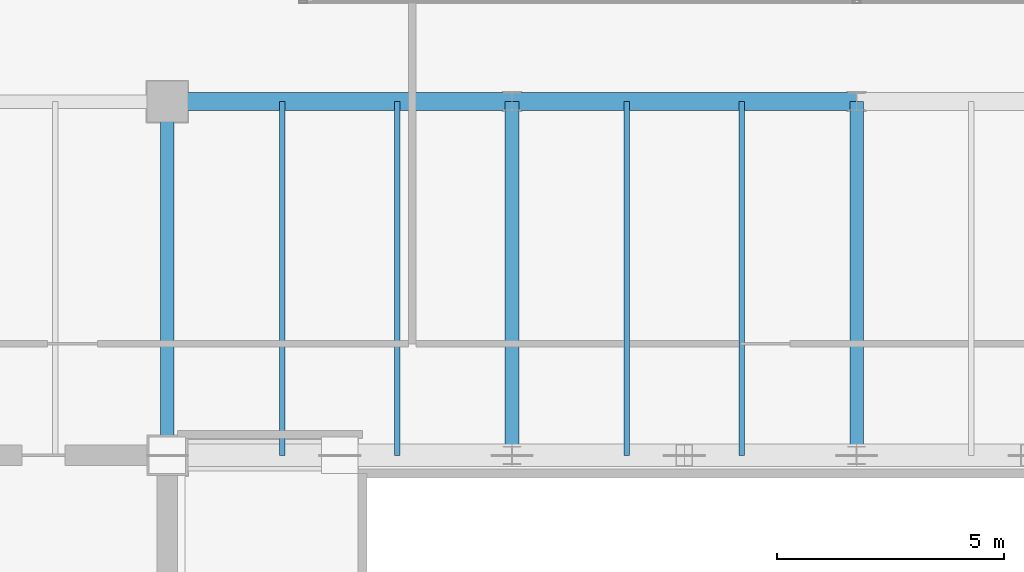
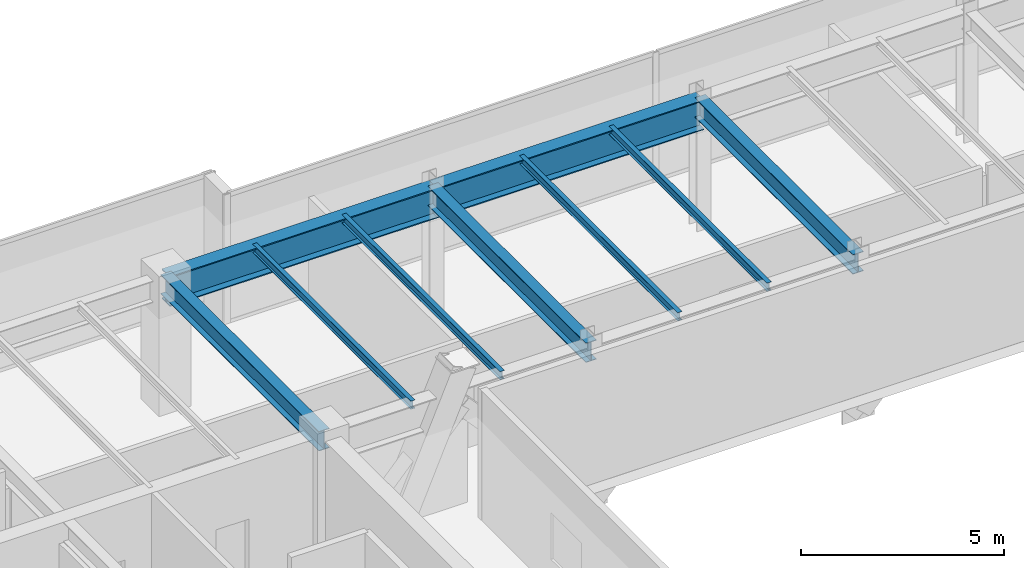
# One storey, part 20 of 32: 9 beams.
"""IFC4 building model written with IfcOpenShell, lengths in metres."""

from ifc_helpers import new_model, si_unit, direction, frame, origin, origin_2d, place, context, subcontext, project, spatial, i_section, extrude, source, transform, mapped, material, material_profile, profile_set, type_object, type_shapes, element, save


model = new_model("IFC4")

# Units and contexts
model_context = context("Model", 3, precision=1e-05, world=origin(), true_north=direction((0.0, 1.0)))
body_context = subcontext(model_context, "Body", "Model", "MODEL_VIEW")
ifc_project = project(units=[si_unit("LENGTHUNIT", "METRE"), si_unit("AREAUNIT", "SQUARE_METRE"), si_unit("VOLUMEUNIT", "CUBIC_METRE"), si_unit("PLANEANGLEUNIT", "RADIAN"), si_unit("MASSUNIT", "GRAM", prefix="KILO")], contexts=[model_context])

# Site, building, storey
site_placement = place(None, origin())
site = spatial("IfcSite", under=ifc_project, at=site_placement, CompositionType="ELEMENT")
building_placement = place(site_placement, origin())
building = spatial("IfcBuilding", under=site, at=building_placement, Name="Haelvirn Gate Laboratories", CompositionType="ELEMENT")
storey_placement = place(building_placement, frame((0.0, 0.0, 301.800048828125)))
storey = spatial("IfcBuildingStorey", under=building, at=storey_placement, Name="L72", CompositionType="ELEMENT", Elevation=301.800048828125)

# Beams
ifc_material_1 = material(Name="Steel SM420", Category="steel")
ifc_material_profile_1 = material_profile(ifc_material_1, i_section(OverallWidth=0.39990234375, OverallDepth=0.89990234375, WebThickness=0.01904296875, FlangeThickness=0.031982421875, at=origin_2d()), Name="H-900x400x19x32")
ifc_profile_set_1 = profile_set([ifc_material_profile_1], Name="Steel SM420")
beam_type_1 = type_object("IfcBeamType", Name="BM-TG-900", PredefinedType="BEAM", material=ifc_profile_set_1)
shared_shape_1 = source(origin(), body_context, "Body", "SweptSolid", [
    extrude(i_section(OverallWidth=0.39990234375, OverallDepth=0.89990234375, WebThickness=0.01904296875, FlangeThickness=0.031982421875, at=origin_2d()), origin(), (0.0, 0.0, 1.0), 7.60009765625),
])
beam_1_placement = place(storey_placement, frame((22.199951171875, 41.60009765625, 3.449951171875), z_axis=(1.0, 0.0, 0.0), x_axis=(0.0, 1.0, 0.0)))
element("IfcBeam", 1, at=beam_1_placement, inside=storey, type_object=beam_type_1, Name="L72 Primary Girder Y41.6 (22.2-29.8)", PredefinedType="BEAM", context=body_context, shape_type="MappedRepresentation", body=[
    mapped(shared_shape_1, transform((0.0, 0.0, 0.0), scale=1.0)),
])
shared_shape_2 = source(origin(), body_context, "Body", "SweptSolid", [
    extrude(i_section(OverallWidth=0.39990234375, OverallDepth=0.89990234375, WebThickness=0.01904296875, FlangeThickness=0.031982421875, at=origin_2d()), origin(), (0.0, 0.0, 1.0), 7.599853515625),
])
type_shapes(beam_type_1, [shared_shape_1, shared_shape_2])
beam_2_placement = place(storey_placement, frame((29.800048828125, 41.60009765625, 3.449951171875), z_axis=(1.0, 0.0, 0.0), x_axis=(0.0, 1.0, 0.0)))
element("IfcBeam", 2, at=beam_2_placement, inside=storey, type_object=beam_type_1, Name="L72 Primary Girder Y41.6 (29.8-37.4)", PredefinedType="BEAM", context=body_context, shape_type="MappedRepresentation", body=[
    mapped(shared_shape_2, transform((0.0, 0.0, 0.0), scale=1.0)),
])
ifc_material_2 = material(Name="Steel SM355", Category="steel")
ifc_material_profile_2 = material_profile(ifc_material_2, i_section(OverallWidth=0.300048828125, OverallDepth=0.587890625, WebThickness=0.011962890625, FlangeThickness=0.02001953125, at=origin_2d()), Name="H-588x300x12x20")
ifc_profile_set_2 = profile_set([ifc_material_profile_2], Name="Steel SM355")
beam_type_2 = type_object("IfcBeamType", Name="BM-G-588", PredefinedType="BEAM", material=ifc_profile_set_2)
shared_shape_3 = source(origin(), body_context, "Body", "SweptSolid", [
    extrude(i_section(OverallWidth=0.300048828125, OverallDepth=0.587890625, WebThickness=0.011962890625, FlangeThickness=0.02001953125, at=origin_2d()), origin(), (0.0, 0.0, 1.0), 7.800048828125),
])
type_shapes(beam_type_2, [shared_shape_3])
for number, where, z_axis, x_axis, name in (
    (3, (22.199951171875, 33.800048828125, 3.60595703125), (0.0, 1.0, 0.0), (-1.0, 0.0, 0.0), "L72 Frame Girder X22.2 (33.8-41.6)"),
    (4, (29.800048828125, 33.800048828125, 3.60595703125), (0.0, 1.0, 0.0), (-1.0, 0.0, 0.0), "L72 Frame Girder X29.8 (33.8-41.6)"),
    (5, (37.39990234375, 33.800048828125, 3.60595703125), (0.0, 1.0, 0.0), (-1.0, 0.0, 0.0), "L72 Frame Girder X37.4 (33.8-41.6)"),
):
    element("IfcBeam", number, at=place(storey_placement, frame(where, z_axis=z_axis, x_axis=x_axis)), inside=storey, type_object=beam_type_2, Name=name, PredefinedType="BEAM", context=body_context, shape_type="MappedRepresentation", body=[
        mapped(shared_shape_3, transform((0.0, 0.0, 0.0), scale=1.0)),
    ])
ifc_material_profile_3 = material_profile(ifc_material_2, i_section(OverallWidth=0.125, OverallDepth=0.25, WebThickness=0.006103515625, FlangeThickness=0.009033203125, at=origin_2d()), Name="H-250x125x6x9")
ifc_profile_set_3 = profile_set([ifc_material_profile_3], Name="Steel SM355")
beam_type_3 = type_object("IfcBeamType", Name="BM-J-250", PredefinedType="JOIST", material=ifc_profile_set_3)
shared_shape_4 = source(origin(), body_context, "Body", "SweptSolid", [
    extrude(i_section(OverallWidth=0.125, OverallDepth=0.25, WebThickness=0.006103515625, FlangeThickness=0.009033203125, at=origin_2d()), origin(), (0.0, 0.0, 1.0), 7.800048828125),
])
type_shapes(beam_type_3, [shared_shape_4])
for number, where, z_axis, x_axis, name in (
    (6, (24.72998046875, 33.800048828125, 3.77490234375), (0.0, 1.0, 0.0), (-1.0, 0.0, 0.0), "L72 Composite Lab Joist North X24.73"),
    (7, (27.27001953125, 33.800048828125, 3.77490234375), (0.0, 1.0, 0.0), (-1.0, 0.0, 0.0), "L72 Composite Lab Joist North X27.27"),
    (8, (32.330078125, 33.800048828125, 3.77490234375), (0.0, 1.0, 0.0), (-1.0, 0.0, 0.0), "L72 Composite Lab Joist North X32.33"),
    (9, (34.8701171875, 33.800048828125, 3.77490234375), (0.0, 1.0, 0.0), (-1.0, 0.0, 0.0), "L72 Composite Lab Joist North X34.87"),
):
    element("IfcBeam", number, at=place(storey_placement, frame(where, z_axis=z_axis, x_axis=x_axis)), inside=storey, type_object=beam_type_3, Name=name, PredefinedType="JOIST", context=body_context, shape_type="MappedRepresentation", body=[
        mapped(shared_shape_4, transform((0.0, 0.0, 0.0), scale=1.0)),
    ])

save(model, "model.ifc")
